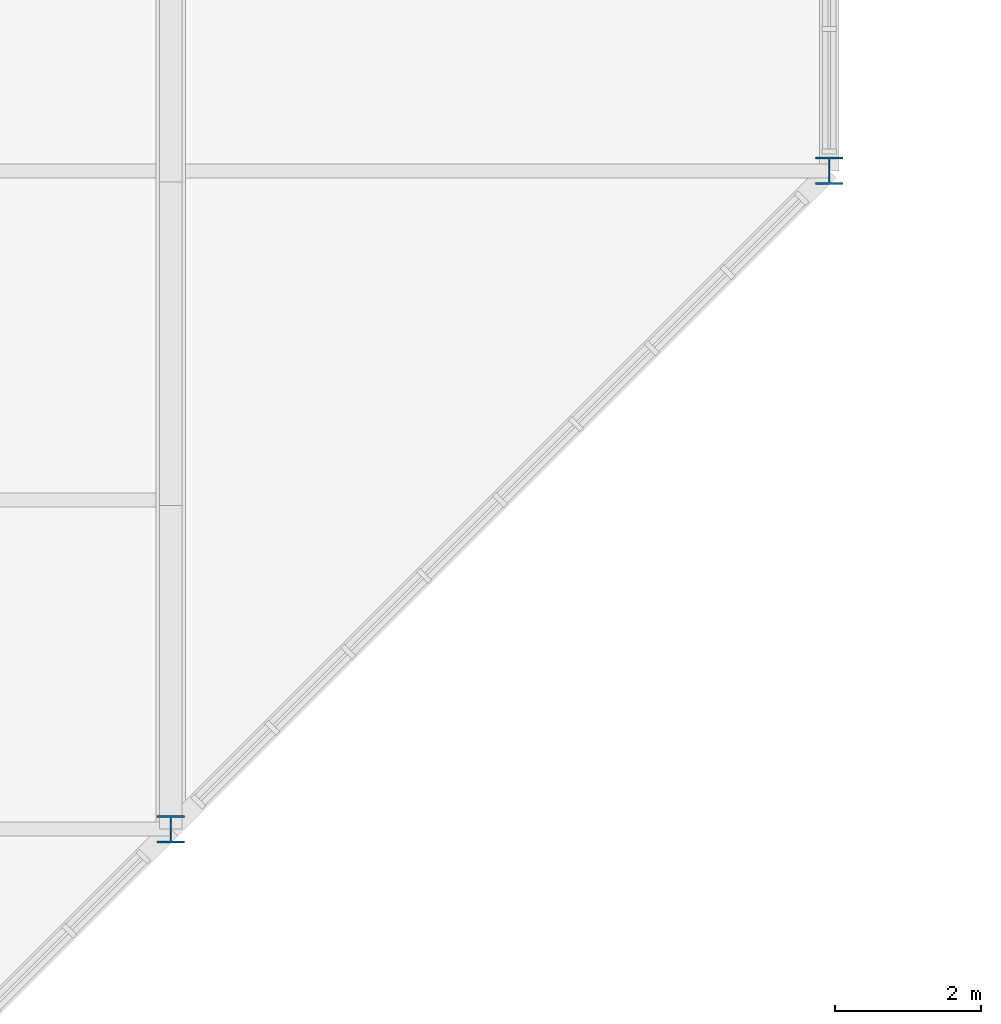
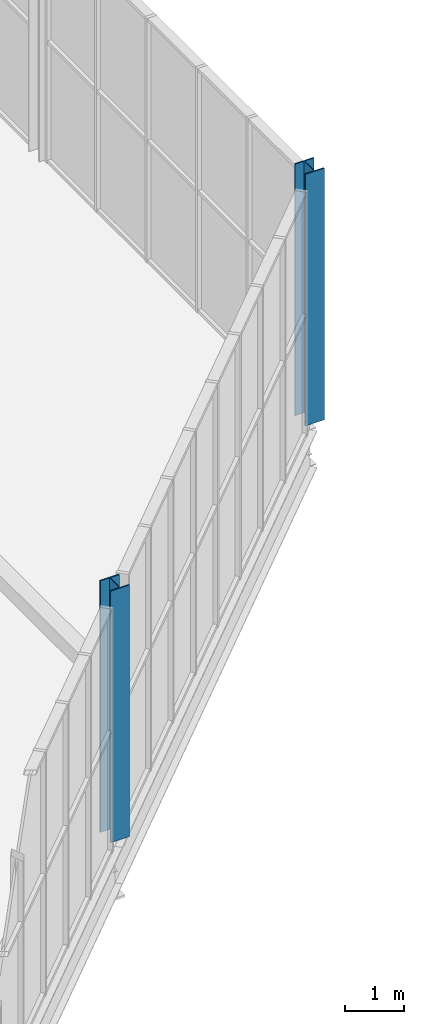
# One storey, part 2 of 134: 2 columns.
"""IFC4 building model written with IfcOpenShell, lengths in metres."""

from ifc_helpers import new_model, si_unit, direction, frame, origin, origin_2d, place, context, subcontext, project, spatial, i_section, extrude, material, material_profile, profile_set, type_object, element, save


model = new_model("IFC4")

# Units and contexts
model_context = context("Model", 3, precision=1e-05, world=origin(), true_north=direction((0.0, 1.0)))
body_context = subcontext(model_context, "Body", "Model", "MODEL_VIEW")
ifc_project = project(units=[si_unit("LENGTHUNIT", "METRE"), si_unit("AREAUNIT", "SQUARE_METRE"), si_unit("VOLUMEUNIT", "CUBIC_METRE"), si_unit("PLANEANGLEUNIT", "RADIAN"), si_unit("MASSUNIT", "GRAM", prefix="KILO")], contexts=[model_context])

# Site, building, storey
site_placement = place(None, origin())
site = spatial("IfcSite", under=ifc_project, at=site_placement, CompositionType="ELEMENT")
building_placement = place(site_placement, origin())
building = spatial("IfcBuilding", under=site, at=building_placement, Name="Cazmaro Siding Exhibition Halls", CompositionType="ELEMENT")
storey_placement = place(building_placement, frame((0.0, 0.0, 12.0)))
storey = spatial("IfcBuildingStorey", under=building, at=storey_placement, Name="L02", CompositionType="ELEMENT", Elevation=12.0)

# Columns
ifc_material = material(Name="Steel ASTM A992 Grade 50", Category="steel")
ifc_material_profile = material_profile(ifc_material, i_section(OverallWidth=0.373046875, OverallDepth=0.373046875, WebThickness=0.01611328125, FlangeThickness=0.02587890625, at=origin_2d()), Name="W14X132")
ifc_profile_set = profile_set([ifc_material_profile], Name="Steel ASTM A992 Grade 50")
column_type = type_object("IfcColumnType", Name="C-04", PredefinedType="COLUMN", material=ifc_profile_set)
for number, where, z_axis, x_axis, name in (
    (1, (54.0, 18.0, 0.0), (0.0, 0.0, 1.0), (1.0, 0.0, 0.0), "Column C-04 COL-0813"),
    (2, (63.0, 27.0, 0.0), (0.0, 0.0, 1.0), (1.0, 0.0, 0.0), "Column C-04 COL-0816"),
):
    element("IfcColumn", number, at=place(storey_placement, frame(where, z_axis=z_axis, x_axis=x_axis)), inside=storey, type_object=column_type, Name=name, PredefinedType="COLUMN", context=body_context, shape_type="SweptSolid", body=[
        extrude(i_section(OverallWidth=0.373046875, OverallDepth=0.373046875, WebThickness=0.01611328125, FlangeThickness=0.02587890625, at=origin_2d()), origin(), (0.0, 0.0, 1.0), 5.199951171875),
    ])

save(model, "model.ifc")
